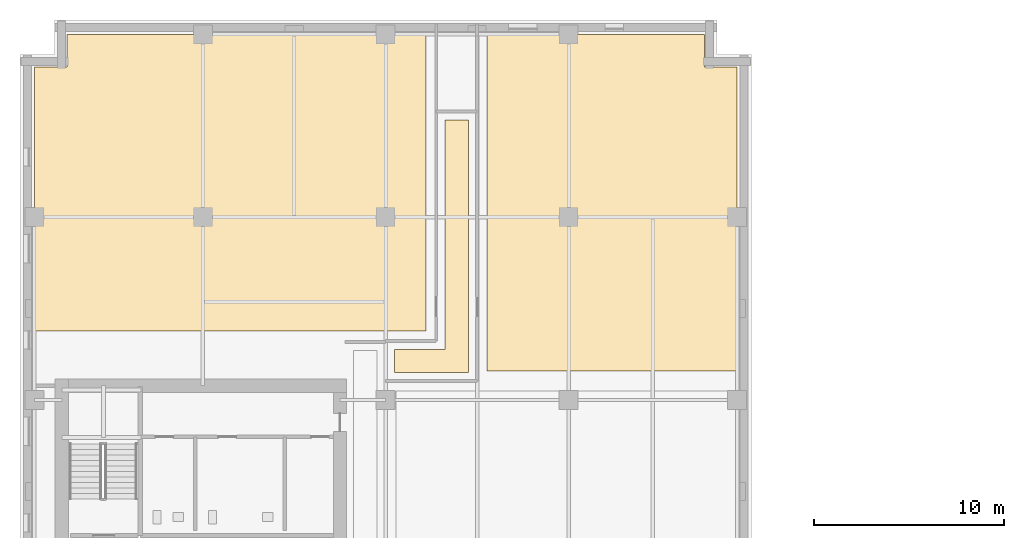
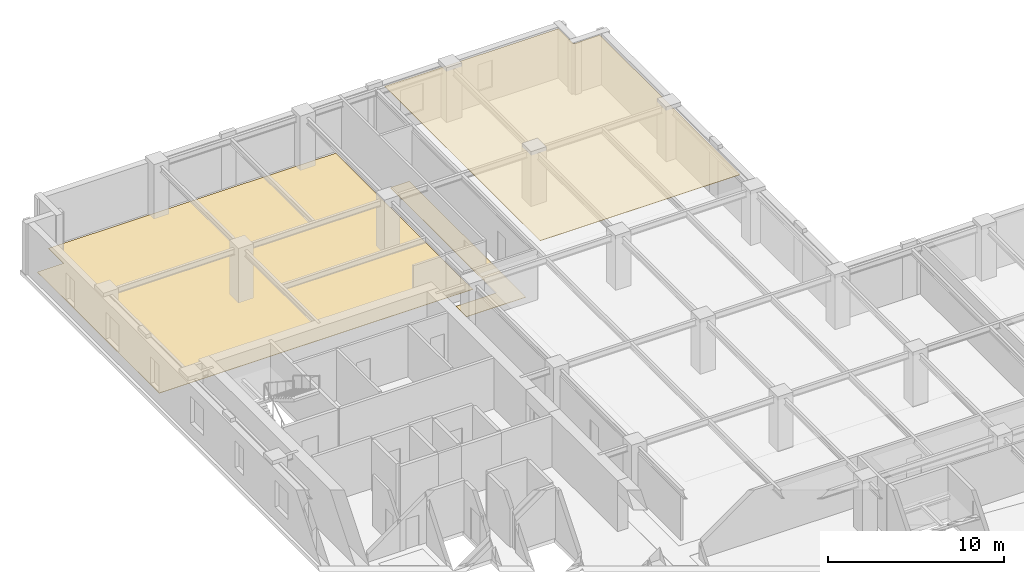
# One storey, part 11 of 12: 3 coverings.
"""IFC4 building model written with IfcOpenShell, lengths in metres."""

from ifc_helpers import new_model, si_unit, direction, frame, origin, place, context, subcontext, project, spatial, polyline, outline, extrude, material, layer, layer_set, type_object, element, save


model = new_model("IFC4")

# Units and contexts
model_context = context("Model", 3, precision=1e-05, world=origin(), true_north=direction((0.0, 1.0)))
body_context = subcontext(model_context, "Body", "Model", "MODEL_VIEW")
ifc_project = project(units=[si_unit("LENGTHUNIT", "METRE"), si_unit("AREAUNIT", "SQUARE_METRE"), si_unit("VOLUMEUNIT", "CUBIC_METRE"), si_unit("PLANEANGLEUNIT", "RADIAN"), si_unit("MASSUNIT", "GRAM", prefix="KILO")], contexts=[model_context])

# Site, building, storey
site_placement = place(None, origin())
site = spatial("IfcSite", under=ifc_project, at=site_placement, CompositionType="ELEMENT")
building_placement = place(site_placement, origin())
building = spatial("IfcBuilding", under=site, at=building_placement, Name="Norrvale University Quadrangle", CompositionType="ELEMENT")
storey_placement = place(building_placement, frame((0.0, 0.0, 101.39990234375)))
storey = spatial("IfcBuildingStorey", under=building, at=storey_placement, Name="L25", CompositionType="ELEMENT", Elevation=101.39990234375)

# Coverings
ifc_material_1 = material(Name="Perforated Acoustic Mineral Ceiling")
ifc_layer_1 = layer(ifc_material_1, 0.02490234375, Name="Perforated Acoustic Mineral Ceiling")
ifc_layer_set_1 = layer_set([ifc_layer_1], Name="Perforated Acoustic Mineral Ceiling")
covering_type_1 = type_object("IfcCoveringType", Name="Covering Acoustic Ceiling 25", PredefinedType="CEILING", material=ifc_layer_set_1)
covering_1_placement = place(storey_placement, frame((0.0, 0.0, 3.51513671875)))
element("IfcCovering", 1, at=covering_1_placement, inside=storey, type_object=covering_type_1, Name="Acoustic Ceiling RM-L25-NE01", PredefinedType="CEILING", context=body_context, shape_type="SweptSolid", body=[
    extrude(outline(polyline([(37.64990234375, 48.780029296875), (24.530029296875, 48.780029296875), (24.530029296875, 66.449951171875), (35.929931640625, 66.449951171875), (35.929931640625, 64.72998046875), (37.64990234375, 64.72998046875), (37.64990234375, 48.780029296875)])), origin(), (0.0, 0.0, 1.0), 0.02490234375),
])
ifc_material_2 = material(Name="Polished Terrazzo Flooring")
ifc_layer_2 = layer(ifc_material_2, 0.02490234375, Name="Polished Terrazzo Flooring")
ifc_layer_set_2 = layer_set([ifc_layer_2], Name="Polished Terrazzo Flooring")
covering_type_2 = type_object("IfcCoveringType", Name="Covering Terrazzo Floor 30", PredefinedType="FLOORING", material=ifc_layer_set_2)
covering_2_placement = place(storey_placement, origin())
element("IfcCovering", 2, at=covering_2_placement, inside=storey, type_object=covering_type_2, Name="Terrazzo Flooring RM-L25-NCJOG", PredefinedType="FLOORING", context=body_context, shape_type="SweptSolid", body=[
    extrude(outline(polyline([(19.64990234375, 48.699951171875), (19.64990234375, 49.89990234375), (22.300048828125, 49.89990234375), (22.300048828125, 61.949951171875), (23.550048828125, 61.949951171875), (23.550048828125, 48.699951171875), (19.64990234375, 48.699951171875)])), origin(), (0.0, 0.0, 1.0), 0.025146484375),
])
covering_3_placement = place(storey_placement, origin())
element("IfcCovering", 3, at=covering_3_placement, inside=storey, type_object=covering_type_2, Name="Terrazzo Flooring RM-L25-NW01", PredefinedType="FLOORING", context=body_context, shape_type="SweptSolid", body=[
    extrude(outline(polyline([(21.320068359375, 66.449951171875), (21.320068359375, 50.8798828125), (0.75, 50.8798828125), (0.75, 64.72998046875), (2.469970703125, 64.72998046875), (2.469970703125, 66.449951171875), (21.320068359375, 66.449951171875)])), origin(), (0.0, 0.0, 1.0), 0.025146484375),
])

save(model, "model.ifc")
